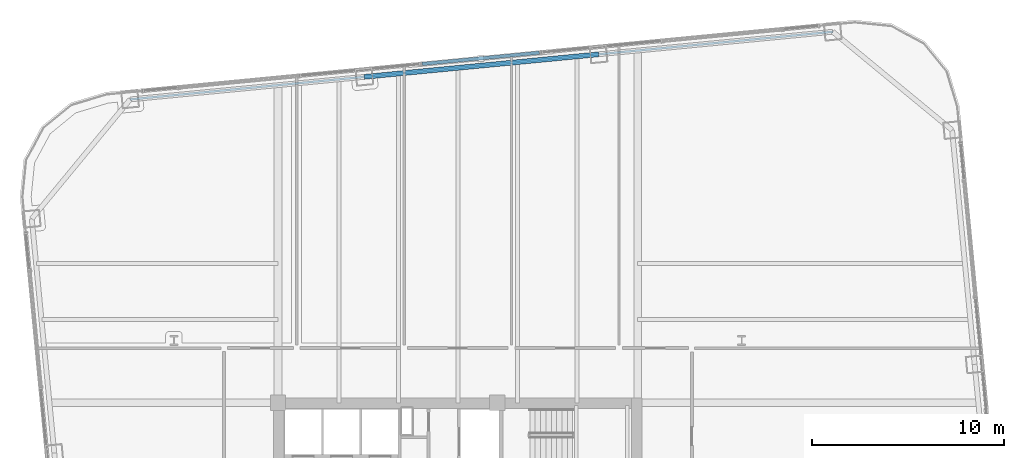
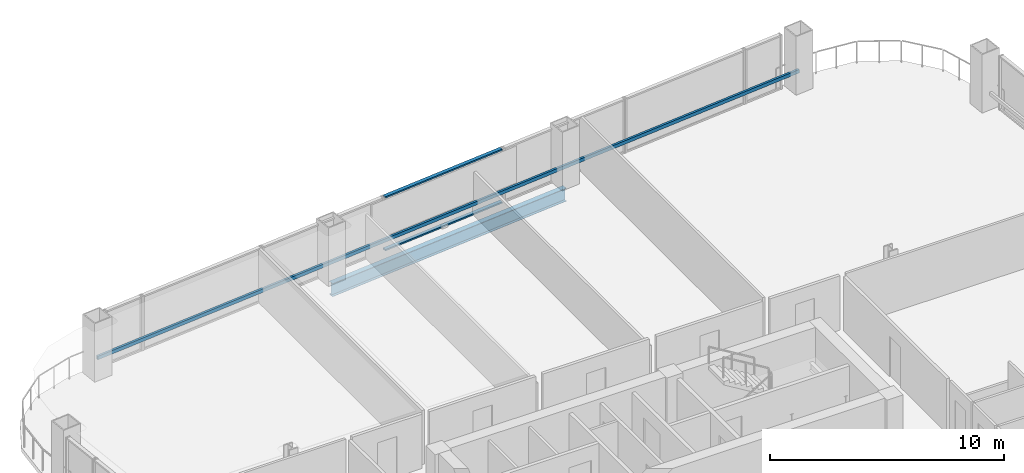
# One storey, part 23 of 34: 3 members, 1 beam, 1 element without a shape of its own.
"""IFC4 building model written with IfcOpenShell, lengths in metres."""

import ifcopenshell
import ifcopenshell.guid

model = None  # the IFC model being written
_history = None  # IfcOwnerHistory: only IFC2X3 demands one
_inside = {}  # id of a spatial element -> (the spatial element, [elements in it])
_under = {}  # id of a project, library or spatial element -> (it, [spatial elements below it])
_declared = {}  # id of a project -> (the project, [libraries it declares])
_typed = {}  # id of a type object -> (the type object, [elements of that type])
_made_of = {}  # id of a material, layer set ... -> (it, [elements and type objects made of it])


def new_model(schema):
    """Start an empty IFC model of exactly this schema.

    Asked for "IFC4X3", IfcOpenShell would pick the latest addendum, in which some entities
    have other attributes; the version numbers below select the first issue.
    IFC2X3 requires an IfcOwnerHistory on every rooted entity: one is made here for all.
    """
    global model, _history
    if schema == "IFC4X3":
        model = ifcopenshell.file(schema_version=(4, 3, 0, 0))
    else:
        model = ifcopenshell.file(schema=schema)
    _inside.clear()
    _under.clear()
    _declared.clear()
    _typed.clear()
    _made_of.clear()
    _history = None
    if model.schema == "IFC2X3":
        org = make("IfcOrganization", Name="unknown")
        user = make(
            "IfcPersonAndOrganization",
            ThePerson=make("IfcPerson", FamilyName="unknown"),
            TheOrganization=org,
        )
        app = make(
            "IfcApplication",
            ApplicationDeveloper=org,
            Version="unknown",
            ApplicationFullName="unknown",
            ApplicationIdentifier="unknown",
        )
        _history = make(
            "IfcOwnerHistory",
            OwningUser=user,
            OwningApplication=app,
            ChangeAction="ADDED",
            CreationDate=0,
        )
    return model


def make(cls, **values):
    """One entity of the class cls with the attributes given. An attribute that is None is left unset."""
    return model.create_entity(
        cls, **{name: value for name, value in values.items() if value is not None}
    )


def rooted(cls, **values):
    """An entity with a GlobalId (a new one), such as an element, a storey or a relation."""
    return make(cls, GlobalId=ifcopenshell.guid.new(), OwnerHistory=_history, **values)


def si_unit(unit_type, name, prefix=None):
    """IfcSIUnit, for example si_unit("LENGTHUNIT", "METRE", prefix="MILLI")."""
    return make("IfcSIUnit", UnitType=unit_type, Prefix=prefix, Name=name)


def assignment(units):
    """IfcUnitAssignment: the units of a project."""
    return None if units is None else make("IfcUnitAssignment", Units=units)


def point(xyz):
    """IfcCartesianPoint."""
    return None if xyz is None else make("IfcCartesianPoint", Coordinates=xyz)


def direction(xyz):
    """IfcDirection."""
    return None if xyz is None else make("IfcDirection", DirectionRatios=xyz)


def frame(location, z_axis=None, x_axis=None):
    """IfcAxis2Placement3D, a coordinate frame: its origin and axes. An axis left out is left unset."""
    return make(
        "IfcAxis2Placement3D",
        Location=point(location),
        Axis=direction(z_axis),
        RefDirection=direction(x_axis),
    )


def frame_2d(location, x_axis=None):
    """IfcAxis2Placement2D, a coordinate frame in the plane: its origin and x axis."""
    return make(
        "IfcAxis2Placement2D", Location=point(location), RefDirection=direction(x_axis)
    )


def origin():
    """The frame at (0, 0, 0) with its axes left unset."""
    return frame((0.0, 0.0, 0.0))


def origin_2d():
    """The frame at (0, 0) in the plane with its x axis left unset."""
    return frame_2d((0.0, 0.0))


def place(relative_to, where):
    """IfcLocalPlacement: puts the frame where relative to a parent placement (None: the world)."""
    return make(
        "IfcLocalPlacement", PlacementRelTo=relative_to, RelativePlacement=where
    )


def context(
    kind, dimensions, precision=None, world=None, true_north=None, identifier=None
):
    """IfcGeometricRepresentationContext, for example the 3D "Model" context."""
    return make(
        "IfcGeometricRepresentationContext",
        ContextIdentifier=identifier,
        ContextType=kind,
        CoordinateSpaceDimension=dimensions,
        Precision=precision,
        WorldCoordinateSystem=world,
        TrueNorth=true_north,
    )


def subcontext(parent, identifier, kind, view, scale=None):
    """IfcGeometricRepresentationSubContext, for example "Body" below "Model"."""
    return make(
        "IfcGeometricRepresentationSubContext",
        ContextIdentifier=identifier,
        ContextType=kind,
        ParentContext=parent,
        TargetScale=scale,
        TargetView=view,
    )


def project(units=None, contexts=None):
    """IfcProject with its units and contexts."""
    return rooted(
        "IfcProject",
        Name="project",
        RepresentationContexts=contexts,
        UnitsInContext=assignment(units),
    )


def spatial(cls, under=None, at=None, **own):
    """A site, building, storey or space (cls), placed at a placement, below another one or the project."""
    s = rooted(cls, ObjectPlacement=at, **own)
    if under is not None:
        _under.setdefault(under.id(), (under, []))[1].append(s)
    return s


def profile(cls, at=None, kind="AREA", **sizes):
    """A parametric profile (cls). Its sizes go by their IFC names, for example OverallWidth=200.0."""
    return make(cls, ProfileType=kind, Position=at, **sizes)


def hollow_rectangle(**sizes):
    """IfcRectangleHollowProfileDef."""
    return profile("IfcRectangleHollowProfileDef", **sizes)


def i_section(**sizes):
    """IfcIShapeProfileDef."""
    return profile("IfcIShapeProfileDef", **sizes)


def extrude(swept, where, along, depth):
    """IfcExtrudedAreaSolid: the profile swept, set in the frame where, extruded along a direction by depth."""
    return make(
        "IfcExtrudedAreaSolid",
        SweptArea=swept,
        Position=where,
        ExtrudedDirection=direction(along),
        Depth=depth,
    )


def shape(context_of_items, identifier, shape_type, items):
    """IfcShapeRepresentation: the items that make up one representation, for example the "Body"."""
    return make(
        "IfcShapeRepresentation",
        ContextOfItems=context_of_items,
        RepresentationIdentifier=identifier,
        RepresentationType=shape_type,
        Items=items,
    )


def material(Name=None, Category=None):
    """IfcMaterial."""
    return make("IfcMaterial", Name=Name, Category=Category)


def layer(
    of_material, thickness, ventilated=None, Name=None, Category=None, Priority=None
):
    """IfcMaterialLayer: one layer of a wall or slab, of a material (None: an air gap)."""
    return make(
        "IfcMaterialLayer",
        Material=of_material,
        LayerThickness=thickness,
        IsVentilated=ventilated,
        Name=Name,
        Category=Category,
        Priority=Priority,
    )


def layer_set(layers, Name=None):
    """IfcMaterialLayerSet."""
    return make("IfcMaterialLayerSet", MaterialLayers=layers, LayerSetName=Name)


def material_profile(
    of_material, cross_section, Name=None, Category=None, Priority=None
):
    """IfcMaterialProfile: a cross section and its material."""
    return make(
        "IfcMaterialProfile",
        Name=Name,
        Material=of_material,
        Profile=cross_section,
        Priority=Priority,
        Category=Category,
    )


def profile_set(profiles, Name=None, composite=None):
    """IfcMaterialProfileSet."""
    return make(
        "IfcMaterialProfileSet",
        Name=Name,
        MaterialProfiles=profiles,
        CompositeProfile=composite,
    )


def made_of(thing, what):
    """Note that an element or type object is made of a material, layer set ...; save() writes the relation."""
    if what is not None:
        _made_of.setdefault(what.id(), (what, []))[1].append(thing)
    return thing


def type_object(cls, material=None, **own):
    """A type object (cls), such as IfcWallType, which elements share."""
    return made_of(rooted(cls, **own), material)


def element(
    cls,
    number,
    at=None,
    inside=None,
    cuts=None,
    type_object=None,
    material=None,
    context=None,
    identifier="Body",
    shape_type=None,
    held_by="IfcProductDefinitionShape",
    body=None,
    shapes=None,
    **own,
):
    """One element of the class cls, such as IfcWall. Its Tag is "e" and its number.

    at: its placement. inside: the storey or other place that contains it. cuts: it is an
    opening in that element (IfcRelVoidsElement). A single representation is given by context,
    identifier, shape_type and body (its items); several are given by shapes. held_by: the class
    of the entity that holds the representations. save() writes the other relations.
    """
    e = rooted(cls, Tag="e%d" % number, ObjectPlacement=at, **own)
    if body is not None:
        shapes = [shape(context, identifier, shape_type, body)]
    if shapes is not None:
        e.Representation = make(held_by, Representations=shapes)
    if inside is not None:
        _inside.setdefault(inside.id(), (inside, []))[1].append(e)
    if cuts is not None:
        rooted(
            "IfcRelVoidsElement", RelatingBuildingElement=cuts, RelatedOpeningElement=e
        )
    if type_object is not None:
        _typed.setdefault(type_object.id(), (type_object, []))[1].append(e)
    return made_of(e, material)


def aggregate(whole, parts):
    """IfcRelAggregates: a whole, such as a stair, and the parts it consists of."""
    return rooted("IfcRelAggregates", RelatingObject=whole, RelatedObjects=parts)


def save(model, path):
    """Write the relations noted so far, then the file.

    IfcRelAggregates (storeys below a building ...), IfcRelContainedInSpatialStructure (elements
    in a storey), IfcRelDefinesByType, IfcRelAssociatesMaterial and IfcRelDeclares: one each for
    every whole, place, type object, material and project.
    """
    for whole, parts in _under.values():
        aggregate(whole, parts)
    for where, things in _inside.values():
        rooted(
            "IfcRelContainedInSpatialStructure",
            RelatedElements=things,
            RelatingStructure=where,
        )
    for kind, things in _typed.values():
        rooted("IfcRelDefinesByType", RelatedObjects=things, RelatingType=kind)
    for what, things in _made_of.values():
        rooted("IfcRelAssociatesMaterial", RelatedObjects=things, RelatingMaterial=what)
    for by, libraries in _declared.values():
        rooted("IfcRelDeclares", RelatingContext=by, RelatedDefinitions=libraries)
    model.write(path)


model = new_model("IFC4")

# Units and contexts
model_context = context("Model", 3, precision=1e-05, world=origin(), true_north=direction((0.0, 1.0)))
body_context = subcontext(model_context, "Body", "Model", "MODEL_VIEW")
ifc_project = project(units=[si_unit("LENGTHUNIT", "METRE"), si_unit("AREAUNIT", "SQUARE_METRE"), si_unit("VOLUMEUNIT", "CUBIC_METRE"), si_unit("PLANEANGLEUNIT", "RADIAN"), si_unit("MASSUNIT", "GRAM", prefix="KILO")], contexts=[model_context])

# Site, building, storey
site_placement = place(None, origin())
site = spatial("IfcSite", under=ifc_project, at=site_placement, CompositionType="ELEMENT")
building_placement = place(site_placement, origin())
building = spatial("IfcBuilding", under=site, at=building_placement, Name="Qhalaya Broadcast Tower", CompositionType="ELEMENT")
storey_placement = place(building_placement, frame((0.0, 0.0, 78.60009765625)))
storey = spatial("IfcBuildingStorey", under=building, at=storey_placement, Name="L22", CompositionType="ELEMENT", Elevation=78.60009765625)

# Member
ifc_material_1 = material(Name="Fired Architectural Terracotta", Category="masonry")
ifc_material_profile_1 = material_profile(ifc_material_1, hollow_rectangle(XDim=0.110107421875, YDim=0.179931640625, WallThickness=0.01806640625, at=origin_2d()), Name="TB-BAG 110x180x18")
ifc_profile_set_1 = profile_set([ifc_material_profile_1], Name="Fired Architectural Terracotta")
member_type_1 = type_object("IfcMemberType", Name="Fired Terracotta Facade Baguette Member TB1", PredefinedType="USERDEFINED", material=ifc_profile_set_1)
member_1_placement = place(storey_placement, frame((19.54541015625, 29.29248046875, 0.848876953125), z_axis=(-0.995396269574, -0.095845013007, 0.0), x_axis=(0.095845013007, -0.995396269574, 0.0)))
element("IfcMember", 1, at=member_1_placement, inside=storey, type_object=member_type_1, Name="L22 Terracotta Baguette Feature Rail N", ObjectType="BAGUETTE", PredefinedType="USERDEFINED", context=body_context, shape_type="SweptSolid", body=[
    extrude(hollow_rectangle(XDim=0.110107421875, YDim=0.179931640625, WallThickness=0.01806640625, at=origin_2d()), origin(), (0.0, 0.0, 1.0), 36.800048828125),
])

# Beam
ifc_material_2 = material(Name="Structural Steel ASTM A992 Grade 50", Category="steel")
ifc_material_profile_2 = material_profile(ifc_material_2, i_section(OverallWidth=0.25390625, OverallDepth=0.68310546875, WebThickness=0.012451171875, FlangeThickness=0.01904296875, at=origin_2d()), Name="W27X94")
ifc_profile_set_2 = profile_set([ifc_material_profile_2], Name="Structural Steel ASTM A992 Grade 50")
beam_type = type_object("IfcBeamType", Name="Perimeter Ring Spandrel Beam SP1", PredefinedType="SPANDREL", material=ifc_profile_set_2)
beam_placement = place(storey_placement, frame((7.335205078125, 28.116943359375, -0.5615234375), z_axis=(-0.99539563662, -0.095851586307, 0.0), x_axis=(0.095851586307, -0.99539563662, 0.0)))
element("IfcBeam", 2, at=beam_placement, inside=storey, type_object=beam_type, Name="L22 SP1 L22-SPR-10", PredefinedType="SPANDREL", context=body_context, shape_type="SweptSolid", body=[
    extrude(i_section(OverallWidth=0.25390625, OverallDepth=0.68310546875, WebThickness=0.012451171875, FlangeThickness=0.01904296875, at=origin_2d()), origin(), (0.0, 0.0, 1.0), 12.2666015625),
])

# Curtain wall, members
ifc_layer = layer(ifc_material_1, 0.219970703125, Name="Fired Architectural Terracotta")
ifc_layer_set = layer_set([ifc_layer], Name="Fired Architectural Terracotta")
curtain_wall_type = type_object("IfcCurtainWallType", Name="Block-Cap Unitised Terracotta Spandrel Wall CW-07", PredefinedType="NOTDEFINED", material=ifc_layer_set)
curtain_wall_placement = place(storey_placement, origin())
curtain_wall = element("IfcCurtainWall", 3, at=curtain_wall_placement, inside=storey, type_object=curtain_wall_type, Name="L22 Unitised Curtain Wall L22-CW-N4", PredefinedType="NOTDEFINED")
ifc_material_3 = material(Name="Anodised Aluminium 6063-T6", Category="aluminium")
ifc_material_profile_3 = material_profile(ifc_material_3, hollow_rectangle(XDim=0.074951171875, YDim=0.179931640625, WallThickness=0.00390625, at=origin_2d()), Name="ALU-TRN 75x180x4")
ifc_profile_set_3 = profile_set([ifc_material_profile_3], Name="Anodised Aluminium 6063-T6")
member_type_2 = type_object("IfcMemberType", Name="Unitised Curtain-Wall Transom T01", PredefinedType="USERDEFINED", material=ifc_profile_set_3)
member_2_placement = place(storey_placement, frame((4.24560546875, 28.201171875, 0.037353515625), z_axis=(-0.995393624536, -0.095872479016, 0.0), x_axis=(0.0, 0.0, 1.0)))
member_2 = element("IfcMember", 4, at=member_2_placement, type_object=member_type_2, Name="CW-07 transom 1.1", ObjectType="TRANSOM", PredefinedType="USERDEFINED", context=body_context, shape_type="SweptSolid", body=[
    extrude(hollow_rectangle(XDim=0.074951171875, YDim=0.179931640625, WallThickness=0.00390625, at=origin_2d()), origin(), (0.0, 0.0, 1.0), 6.132080078125),
])
member_3_placement = place(storey_placement, frame((4.24560546875, 28.201171875, 2.79248046875), z_axis=(-0.995393624536, -0.095872479016, 0.0), x_axis=(0.0, 0.0, 1.0)))
member_3 = element("IfcMember", 5, at=member_3_placement, type_object=member_type_2, Name="CW-07 transom 1.2", ObjectType="TRANSOM", PredefinedType="USERDEFINED", context=body_context, shape_type="SweptSolid", body=[
    extrude(hollow_rectangle(XDim=0.074951171875, YDim=0.179931640625, WallThickness=0.00390625, at=origin_2d()), origin(), (0.0, 0.0, 1.0), 6.132080078125),
])
aggregate(curtain_wall, [member_2, member_3])

save(model, "model.ifc")
